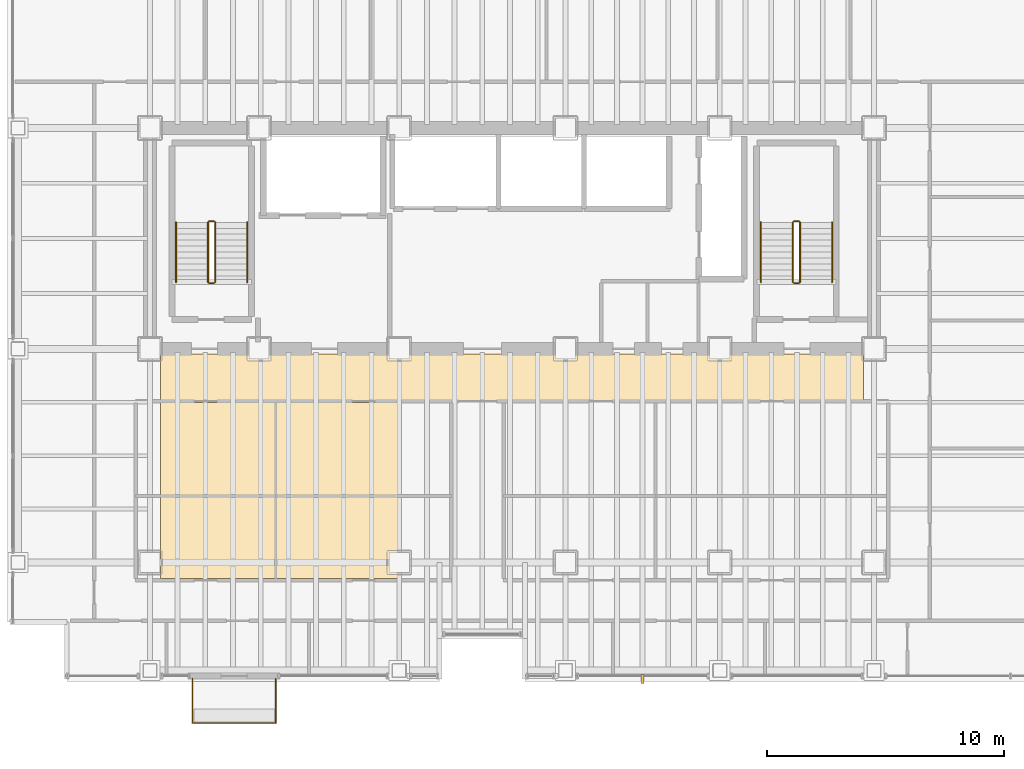
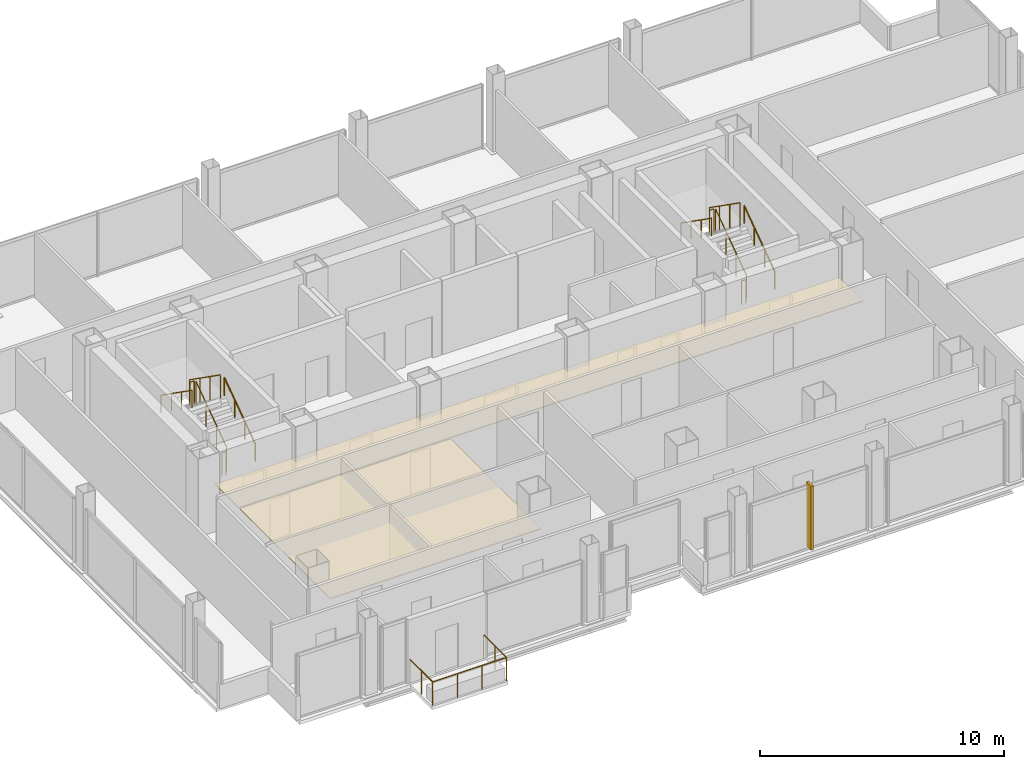
# One storey, part 20 of 20: 13 railings, 2 coverings, 1 shading device.
"""IFC4 building model written with IfcOpenShell, lengths in metres."""

import ifcopenshell
import ifcopenshell.guid

model = None  # the IFC model being written
_history = None  # IfcOwnerHistory: only IFC2X3 demands one
_inside = {}  # id of a spatial element -> (the spatial element, [elements in it])
_under = {}  # id of a project, library or spatial element -> (it, [spatial elements below it])
_declared = {}  # id of a project -> (the project, [libraries it declares])
_typed = {}  # id of a type object -> (the type object, [elements of that type])
_made_of = {}  # id of a material, layer set ... -> (it, [elements and type objects made of it])


def new_model(schema):
    """Start an empty IFC model of exactly this schema.

    Asked for "IFC4X3", IfcOpenShell would pick the latest addendum, in which some entities
    have other attributes; the version numbers below select the first issue.
    IFC2X3 requires an IfcOwnerHistory on every rooted entity: one is made here for all.
    """
    global model, _history
    if schema == "IFC4X3":
        model = ifcopenshell.file(schema_version=(4, 3, 0, 0))
    else:
        model = ifcopenshell.file(schema=schema)
    _inside.clear()
    _under.clear()
    _declared.clear()
    _typed.clear()
    _made_of.clear()
    _history = None
    if model.schema == "IFC2X3":
        org = make("IfcOrganization", Name="unknown")
        user = make(
            "IfcPersonAndOrganization",
            ThePerson=make("IfcPerson", FamilyName="unknown"),
            TheOrganization=org,
        )
        app = make(
            "IfcApplication",
            ApplicationDeveloper=org,
            Version="unknown",
            ApplicationFullName="unknown",
            ApplicationIdentifier="unknown",
        )
        _history = make(
            "IfcOwnerHistory",
            OwningUser=user,
            OwningApplication=app,
            ChangeAction="ADDED",
            CreationDate=0,
        )
    return model


def make(cls, **values):
    """One entity of the class cls with the attributes given. An attribute that is None is left unset."""
    return model.create_entity(
        cls, **{name: value for name, value in values.items() if value is not None}
    )


def rooted(cls, **values):
    """An entity with a GlobalId (a new one), such as an element, a storey or a relation."""
    return make(cls, GlobalId=ifcopenshell.guid.new(), OwnerHistory=_history, **values)


def si_unit(unit_type, name, prefix=None):
    """IfcSIUnit, for example si_unit("LENGTHUNIT", "METRE", prefix="MILLI")."""
    return make("IfcSIUnit", UnitType=unit_type, Prefix=prefix, Name=name)


def assignment(units):
    """IfcUnitAssignment: the units of a project."""
    return None if units is None else make("IfcUnitAssignment", Units=units)


def point(xyz):
    """IfcCartesianPoint."""
    return None if xyz is None else make("IfcCartesianPoint", Coordinates=xyz)


def direction(xyz):
    """IfcDirection."""
    return None if xyz is None else make("IfcDirection", DirectionRatios=xyz)


def frame(location, z_axis=None, x_axis=None):
    """IfcAxis2Placement3D, a coordinate frame: its origin and axes. An axis left out is left unset."""
    return make(
        "IfcAxis2Placement3D",
        Location=point(location),
        Axis=direction(z_axis),
        RefDirection=direction(x_axis),
    )


def frame_2d(location, x_axis=None):
    """IfcAxis2Placement2D, a coordinate frame in the plane: its origin and x axis."""
    return make(
        "IfcAxis2Placement2D", Location=point(location), RefDirection=direction(x_axis)
    )


def origin():
    """The frame at (0, 0, 0) with its axes left unset."""
    return frame((0.0, 0.0, 0.0))


def origin_2d():
    """The frame at (0, 0) in the plane with its x axis left unset."""
    return frame_2d((0.0, 0.0))


def place(relative_to, where):
    """IfcLocalPlacement: puts the frame where relative to a parent placement (None: the world)."""
    return make(
        "IfcLocalPlacement", PlacementRelTo=relative_to, RelativePlacement=where
    )


def context(
    kind, dimensions, precision=None, world=None, true_north=None, identifier=None
):
    """IfcGeometricRepresentationContext, for example the 3D "Model" context."""
    return make(
        "IfcGeometricRepresentationContext",
        ContextIdentifier=identifier,
        ContextType=kind,
        CoordinateSpaceDimension=dimensions,
        Precision=precision,
        WorldCoordinateSystem=world,
        TrueNorth=true_north,
    )


def subcontext(parent, identifier, kind, view, scale=None):
    """IfcGeometricRepresentationSubContext, for example "Body" below "Model"."""
    return make(
        "IfcGeometricRepresentationSubContext",
        ContextIdentifier=identifier,
        ContextType=kind,
        ParentContext=parent,
        TargetScale=scale,
        TargetView=view,
    )


def project(units=None, contexts=None):
    """IfcProject with its units and contexts."""
    return rooted(
        "IfcProject",
        Name="project",
        RepresentationContexts=contexts,
        UnitsInContext=assignment(units),
    )


def spatial(cls, under=None, at=None, **own):
    """A site, building, storey or space (cls), placed at a placement, below another one or the project."""
    s = rooted(cls, ObjectPlacement=at, **own)
    if under is not None:
        _under.setdefault(under.id(), (under, []))[1].append(s)
    return s


def polyline(points):
    """IfcPolyline through the points."""
    return make("IfcPolyline", Points=[point(p) for p in points])


def profile(cls, at=None, kind="AREA", **sizes):
    """A parametric profile (cls). Its sizes go by their IFC names, for example OverallWidth=200.0."""
    return make(cls, ProfileType=kind, Position=at, **sizes)


def rectangle(**sizes):
    """IfcRectangleProfileDef."""
    return profile("IfcRectangleProfileDef", **sizes)


def circle(**sizes):
    """IfcCircleProfileDef."""
    return profile("IfcCircleProfileDef", **sizes)


def outline(outer, holes=None, kind="AREA"):
    """IfcArbitraryClosedProfileDef: a profile drawn as a closed curve; with holes, ...WithVoids."""
    if holes is None:
        return make("IfcArbitraryClosedProfileDef", ProfileType=kind, OuterCurve=outer)
    return make(
        "IfcArbitraryProfileDefWithVoids",
        ProfileType=kind,
        OuterCurve=outer,
        InnerCurves=holes,
    )


def extrude(swept, where, along, depth):
    """IfcExtrudedAreaSolid: the profile swept, set in the frame where, extruded along a direction by depth."""
    return make(
        "IfcExtrudedAreaSolid",
        SweptArea=swept,
        Position=where,
        ExtrudedDirection=direction(along),
        Depth=depth,
    )


def shape(context_of_items, identifier, shape_type, items):
    """IfcShapeRepresentation: the items that make up one representation, for example the "Body"."""
    return make(
        "IfcShapeRepresentation",
        ContextOfItems=context_of_items,
        RepresentationIdentifier=identifier,
        RepresentationType=shape_type,
        Items=items,
    )


def material(Name=None, Category=None):
    """IfcMaterial."""
    return make("IfcMaterial", Name=Name, Category=Category)


def layer(
    of_material, thickness, ventilated=None, Name=None, Category=None, Priority=None
):
    """IfcMaterialLayer: one layer of a wall or slab, of a material (None: an air gap)."""
    return make(
        "IfcMaterialLayer",
        Material=of_material,
        LayerThickness=thickness,
        IsVentilated=ventilated,
        Name=Name,
        Category=Category,
        Priority=Priority,
    )


def layer_set(layers, Name=None):
    """IfcMaterialLayerSet."""
    return make("IfcMaterialLayerSet", MaterialLayers=layers, LayerSetName=Name)


def made_of(thing, what):
    """Note that an element or type object is made of a material, layer set ...; save() writes the relation."""
    if what is not None:
        _made_of.setdefault(what.id(), (what, []))[1].append(thing)
    return thing


def type_object(cls, material=None, **own):
    """A type object (cls), such as IfcWallType, which elements share."""
    return made_of(rooted(cls, **own), material)


def element(
    cls,
    number,
    at=None,
    inside=None,
    cuts=None,
    type_object=None,
    material=None,
    context=None,
    identifier="Body",
    shape_type=None,
    held_by="IfcProductDefinitionShape",
    body=None,
    shapes=None,
    **own,
):
    """One element of the class cls, such as IfcWall. Its Tag is "e" and its number.

    at: its placement. inside: the storey or other place that contains it. cuts: it is an
    opening in that element (IfcRelVoidsElement). A single representation is given by context,
    identifier, shape_type and body (its items); several are given by shapes. held_by: the class
    of the entity that holds the representations. save() writes the other relations.
    """
    e = rooted(cls, Tag="e%d" % number, ObjectPlacement=at, **own)
    if body is not None:
        shapes = [shape(context, identifier, shape_type, body)]
    if shapes is not None:
        e.Representation = make(held_by, Representations=shapes)
    if inside is not None:
        _inside.setdefault(inside.id(), (inside, []))[1].append(e)
    if cuts is not None:
        rooted(
            "IfcRelVoidsElement", RelatingBuildingElement=cuts, RelatedOpeningElement=e
        )
    if type_object is not None:
        _typed.setdefault(type_object.id(), (type_object, []))[1].append(e)
    return made_of(e, material)


def aggregate(whole, parts):
    """IfcRelAggregates: a whole, such as a stair, and the parts it consists of."""
    return rooted("IfcRelAggregates", RelatingObject=whole, RelatedObjects=parts)


def save(model, path):
    """Write the relations noted so far, then the file.

    IfcRelAggregates (storeys below a building ...), IfcRelContainedInSpatialStructure (elements
    in a storey), IfcRelDefinesByType, IfcRelAssociatesMaterial and IfcRelDeclares: one each for
    every whole, place, type object, material and project.
    """
    for whole, parts in _under.values():
        aggregate(whole, parts)
    for where, things in _inside.values():
        rooted(
            "IfcRelContainedInSpatialStructure",
            RelatedElements=things,
            RelatingStructure=where,
        )
    for kind, things in _typed.values():
        rooted("IfcRelDefinesByType", RelatedObjects=things, RelatingType=kind)
    for what, things in _made_of.values():
        rooted("IfcRelAssociatesMaterial", RelatedObjects=things, RelatingMaterial=what)
    for by, libraries in _declared.values():
        rooted("IfcRelDeclares", RelatingContext=by, RelatedDefinitions=libraries)
    model.write(path)


model = new_model("IFC4")

# Units and contexts
model_context = context("Model", 3, precision=1e-05, world=origin(), true_north=direction((0.0, 1.0)))
body_context = subcontext(model_context, "Body", "Model", "MODEL_VIEW")
ifc_project = project(units=[si_unit("LENGTHUNIT", "METRE"), si_unit("AREAUNIT", "SQUARE_METRE"), si_unit("VOLUMEUNIT", "CUBIC_METRE"), si_unit("PLANEANGLEUNIT", "RADIAN"), si_unit("MASSUNIT", "GRAM", prefix="KILO")], contexts=[model_context])

# Site, building, storey
site_placement = place(None, origin())
site = spatial("IfcSite", under=ifc_project, at=site_placement, CompositionType="ELEMENT")
building_placement = place(site_placement, origin())
building = spatial("IfcBuilding", under=site, at=building_placement, Name="Noeulbin Bourse Tower", CompositionType="ELEMENT")
storey_placement = place(building_placement, frame((0.0, 0.0, 69.39990234375)))
storey = spatial("IfcBuildingStorey", under=building, at=storey_placement, Name="L17", CompositionType="ELEMENT", Elevation=69.39990234375)

# Coverings
ifc_material_1 = material(Name="Perforated Mineral-Fibre Acoustic Tile")
ifc_layer_1 = layer(ifc_material_1, 0.0400390625)
ifc_layer_set_1 = layer_set([ifc_layer_1], Name="Perforated Mineral-Fibre Acoustic Tile")
covering_type = type_object("IfcCoveringType", Name="COV-CEIL-ACT", PredefinedType="CEILING", material=ifc_layer_set_1)
covering_1_placement = place(storey_placement, frame((0.0, 0.0, 2.110107421875)))
element("IfcCovering", 1, at=covering_1_placement, inside=storey, type_object=covering_type, Name="Corridor Suspended Ceiling L17", PredefinedType="CEILING", context=body_context, shape_type="SweptSolid", body=[
    extrude(outline(polyline([(13.949951171875, 26.820068359375), (43.550048828125, 26.820068359375), (43.550048828125, 28.780029296875), (13.949951171875, 28.780029296875), (13.949951171875, 26.820068359375)])), origin(), (0.0, 0.0, 1.0), 0.0400390625),
])
covering_2_placement = place(storey_placement, frame((0.0, 0.0, 2.110107421875)))
element("IfcCovering", 2, at=covering_2_placement, inside=storey, type_object=covering_type, Name="Trading Suite Acoustic Ceiling L17", PredefinedType="CEILING", context=body_context, shape_type="SweptSolid", body=[
    extrude(outline(polyline([(13.949951171875, 19.320068359375), (23.949951171875, 19.320068359375), (23.949951171875, 26.75), (13.949951171875, 26.75), (13.949951171875, 19.320068359375)])), origin(), (0.0, 0.0, 1.0), 0.0400390625),
])

# Railings
ifc_material_2 = material(Name="Laminated SentryGlas and Stainless Steel 316", Category="steel")
ifc_layer_2 = layer(ifc_material_2, 0.06005859375)
ifc_layer_set_2 = layer_set([ifc_layer_2], Name="Laminated SentryGlas and Stainless Steel 316")
railing_type_1 = type_object("IfcRailingType", Name="RLG-BAL-1200", PredefinedType="BALUSTRADE", material=ifc_layer_set_2)
railing_1_placement = place(storey_placement, frame((15.300048828125, 15.1201171875, 0.0)))
element("IfcRailing", 3, at=railing_1_placement, inside=storey, type_object=railing_type_1, Name="Tree-Balcony Glazed Balustrade L17", PredefinedType="BALUSTRADE", context=body_context, shape_type="SweptSolid", body=[
    extrude(circle(Radius=0.02392578125, at=origin_2d()), frame((0.0, 0.0, 1.17578125), z_axis=(0.0, -1.0, 0.0), x_axis=(1.0, 0.0, 0.0)), (0.0, 0.0, 1.0), 1.8701171875),
    extrude(circle(Radius=0.02392578125, at=origin_2d()), frame((0.0, -1.8701171875, 1.17578125), z_axis=(1.0, 0.0, 0.0), x_axis=(0.0, 1.0, 0.0)), (0.0, 0.0, 1.0), 3.5),
    extrude(circle(Radius=0.02392578125, at=origin_2d()), frame((3.5, -1.8701171875, 1.17578125), z_axis=(0.0, 1.0, 0.0), x_axis=(-1.0, 0.0, 0.0)), (0.0, 0.0, 1.0), 1.8701171875),
    extrude(circle(Radius=0.02099609375, at=origin_2d()), origin(), (0.0, 0.0, 1.0), 1.15185546875),
    extrude(circle(Radius=0.02099609375, at=origin_2d()), frame((0.0, -0.93505859375, 0.0)), (0.0, 0.0, 1.0), 1.15185546875),
    extrude(circle(Radius=0.02099609375, at=origin_2d()), frame((0.0, -1.8701171875, 0.0)), (0.0, 0.0, 1.0), 1.15185546875),
    extrude(circle(Radius=0.02099609375, at=origin_2d()), frame((1.166748046875, -1.8701171875, 0.0)), (0.0, 0.0, 1.0), 1.15185546875),
    extrude(circle(Radius=0.02099609375, at=origin_2d()), frame((2.333251953125, -1.8701171875, 0.0)), (0.0, 0.0, 1.0), 1.15185546875),
    extrude(circle(Radius=0.02099609375, at=origin_2d()), frame((3.5, -1.8701171875, 0.0)), (0.0, 0.0, 1.0), 1.15185546875),
    extrude(circle(Radius=0.02099609375, at=origin_2d()), frame((3.5, -0.93505859375, 0.0)), (0.0, 0.0, 1.0), 1.15185546875),
    extrude(circle(Radius=0.02099609375, at=origin_2d()), frame((3.5, 0.0, 0.0)), (0.0, 0.0, 1.0), 1.15185546875),
])
ifc_material_3 = material(Name="Painted Tubular Steel S355", Category="steel")
ifc_layer_3 = layer(ifc_material_3, 0.048095703125)
ifc_layer_set_3 = layer_set([ifc_layer_3], Name="Painted Tubular Steel S355")
railing_type_2 = type_object("IfcRailingType", Name="RLG-STR-GRD", PredefinedType="GUARDRAIL", material=ifc_layer_set_3)
railing_2_placement = place(storey_placement, frame((16.25, 31.81005859375, 0.177490234375)))
element("IfcRailing", 4, at=railing_2_placement, inside=storey, type_object=railing_type_2, Name="L17 ST-1 stair guard 1", PredefinedType="GUARDRAIL", context=body_context, shape_type="SweptSolid", body=[
    extrude(circle(Radius=0.02392578125, at=origin_2d()), frame((0.0, 0.0, 1.17578125), z_axis=(0.0, 0.817904474719, 0.575354039036), x_axis=(-1.0, 0.0, 0.0)), (0.0, 0.0, 1.0), 3.0810546875),
    extrude(circle(Radius=0.02099609375, at=origin_2d()), origin(), (0.0, 0.0, 1.0), 1.15185546875),
    extrude(circle(Radius=0.02099609375, at=origin_2d()), frame((0.0, 0.840087890625, 0.5908203125)), (0.0, 0.0, 1.0), 1.15185546875),
    extrude(circle(Radius=0.02099609375, at=origin_2d()), frame((0.0, 1.679931640625, 1.181884765625)), (0.0, 0.0, 1.0), 1.15185546875),
    extrude(circle(Radius=0.02099609375, at=origin_2d()), frame((0.0, 2.52001953125, 1.772705078125)), (0.0, 0.0, 1.0), 1.15185546875),
])
railing_3_placement = place(storey_placement, frame((16.199951171875, 34.3798828125, 1.9501953125)))
element("IfcRailing", 5, at=railing_3_placement, inside=storey, type_object=railing_type_2, Name="L17 ST-1 stair guard 2", PredefinedType="GUARDRAIL", context=body_context, shape_type="SweptSolid", body=[
    extrude(circle(Radius=0.02392578125, at=origin_2d()), frame((0.0, 0.0, 1.17578125), z_axis=(-1.0, 0.0, 0.0), x_axis=(0.0, -1.0, 0.0)), (0.0, 0.0, 1.0), 0.199951171875),
    extrude(circle(Radius=0.02099609375, at=origin_2d()), origin(), (0.0, 0.0, 1.0), 1.15185546875),
    extrude(circle(Radius=0.02099609375, at=origin_2d()), frame((-0.199951171875, 0.0, 0.0)), (0.0, 0.0, 1.0), 1.15185546875),
])
railing_4_placement = place(storey_placement, frame((15.949951171875, 34.330078125, 2.12744140625)))
element("IfcRailing", 6, at=railing_4_placement, inside=storey, type_object=railing_type_2, Name="L17 ST-1 stair guard 3", PredefinedType="GUARDRAIL", context=body_context, shape_type="SweptSolid", body=[
    extrude(circle(Radius=0.02392578125, at=origin_2d()), frame((0.0, 0.0, 1.17578125), z_axis=(0.0, -0.817904474719, 0.575354039036), x_axis=(1.0, 0.0, 0.0)), (0.0, 0.0, 1.0), 3.0810546875),
    extrude(circle(Radius=0.02099609375, at=origin_2d()), origin(), (0.0, 0.0, 1.0), 1.15185546875),
    extrude(circle(Radius=0.02099609375, at=origin_2d()), frame((0.0, -0.840087890625, 0.5908203125)), (0.0, 0.0, 1.0), 1.15185546875),
    extrude(circle(Radius=0.02099609375, at=origin_2d()), frame((0.0, -1.679931640625, 1.181884765625)), (0.0, 0.0, 1.0), 1.15185546875),
    extrude(circle(Radius=0.02099609375, at=origin_2d()), frame((0.0, -2.52001953125, 1.772705078125)), (0.0, 0.0, 1.0), 1.15185546875),
])
railing_5_placement = place(storey_placement, frame((16.199951171875, 31.760009765625, 0.0)))
element("IfcRailing", 7, at=railing_5_placement, inside=storey, type_object=railing_type_2, Name="L17 ST-1 stair guard 4", PredefinedType="GUARDRAIL", context=body_context, shape_type="SweptSolid", body=[
    extrude(circle(Radius=0.02392578125, at=origin_2d()), frame((0.0, 0.0, 1.17578125), z_axis=(-1.0, 0.0, 0.0), x_axis=(0.0, -1.0, 0.0)), (0.0, 0.0, 1.0), 0.199951171875),
    extrude(circle(Radius=0.02099609375, at=origin_2d()), origin(), (0.0, 0.0, 1.0), 1.15185546875),
    extrude(circle(Radius=0.02099609375, at=origin_2d()), frame((-0.199951171875, 0.0, 0.0)), (0.0, 0.0, 1.0), 1.15185546875),
])
railing_6_placement = place(storey_placement, frame((40.8798828125, 31.81005859375, 0.177490234375)))
element("IfcRailing", 8, at=railing_6_placement, inside=storey, type_object=railing_type_2, Name="L17 ST-2 stair guard 1", PredefinedType="GUARDRAIL", context=body_context, shape_type="SweptSolid", body=[
    extrude(circle(Radius=0.02392578125, at=origin_2d()), frame((0.0, 0.0, 1.17578125), z_axis=(0.0, 0.817904474719, 0.575354039036), x_axis=(-1.0, 0.0, 0.0)), (0.0, 0.0, 1.0), 3.0810546875),
    extrude(circle(Radius=0.02099609375, at=origin_2d()), origin(), (0.0, 0.0, 1.0), 1.15185546875),
    extrude(circle(Radius=0.02099609375, at=origin_2d()), frame((0.0, 0.840087890625, 0.5908203125)), (0.0, 0.0, 1.0), 1.15185546875),
    extrude(circle(Radius=0.02099609375, at=origin_2d()), frame((0.0, 1.679931640625, 1.181884765625)), (0.0, 0.0, 1.0), 1.15185546875),
    extrude(circle(Radius=0.02099609375, at=origin_2d()), frame((0.0, 2.52001953125, 1.772705078125)), (0.0, 0.0, 1.0), 1.15185546875),
])
railing_7_placement = place(storey_placement, frame((40.830078125, 34.3798828125, 1.9501953125)))
element("IfcRailing", 9, at=railing_7_placement, inside=storey, type_object=railing_type_2, Name="L17 ST-2 stair guard 2", PredefinedType="GUARDRAIL", context=body_context, shape_type="SweptSolid", body=[
    extrude(circle(Radius=0.02392578125, at=origin_2d()), frame((0.0, 0.0, 1.17578125), z_axis=(-1.0, 0.0, 0.0), x_axis=(0.0, -1.0, 0.0)), (0.0, 0.0, 1.0), 0.2001953125),
    extrude(circle(Radius=0.02099609375, at=origin_2d()), origin(), (0.0, 0.0, 1.0), 1.15185546875),
    extrude(circle(Radius=0.02099609375, at=origin_2d()), frame((-0.2001953125, 0.0, 0.0)), (0.0, 0.0, 1.0), 1.15185546875),
])
railing_8_placement = place(storey_placement, frame((40.580078125, 34.330078125, 2.12744140625)))
element("IfcRailing", 10, at=railing_8_placement, inside=storey, type_object=railing_type_2, Name="L17 ST-2 stair guard 3", PredefinedType="GUARDRAIL", context=body_context, shape_type="SweptSolid", body=[
    extrude(circle(Radius=0.02392578125, at=origin_2d()), frame((0.0, 0.0, 1.17578125), z_axis=(0.0, -0.817904474719, 0.575354039036), x_axis=(1.0, 0.0, 0.0)), (0.0, 0.0, 1.0), 3.0810546875),
    extrude(circle(Radius=0.02099609375, at=origin_2d()), origin(), (0.0, 0.0, 1.0), 1.15185546875),
    extrude(circle(Radius=0.02099609375, at=origin_2d()), frame((0.0, -0.840087890625, 0.5908203125)), (0.0, 0.0, 1.0), 1.15185546875),
    extrude(circle(Radius=0.02099609375, at=origin_2d()), frame((0.0, -1.679931640625, 1.181884765625)), (0.0, 0.0, 1.0), 1.15185546875),
    extrude(circle(Radius=0.02099609375, at=origin_2d()), frame((0.0, -2.52001953125, 1.772705078125)), (0.0, 0.0, 1.0), 1.15185546875),
])
railing_9_placement = place(storey_placement, frame((40.830078125, 31.760009765625, 0.0)))
element("IfcRailing", 11, at=railing_9_placement, inside=storey, type_object=railing_type_2, Name="L17 ST-2 stair guard 4", PredefinedType="GUARDRAIL", context=body_context, shape_type="SweptSolid", body=[
    extrude(circle(Radius=0.02392578125, at=origin_2d()), frame((0.0, 0.0, 1.17578125), z_axis=(-1.0, 0.0, 0.0), x_axis=(0.0, -1.0, 0.0)), (0.0, 0.0, 1.0), 0.2001953125),
    extrude(circle(Radius=0.02099609375, at=origin_2d()), origin(), (0.0, 0.0, 1.0), 1.15185546875),
    extrude(circle(Radius=0.02099609375, at=origin_2d()), frame((-0.2001953125, 0.0, 0.0)), (0.0, 0.0, 1.0), 1.15185546875),
])
ifc_material_4 = material(Name="Brushed Stainless Steel 316", Category="steel")
ifc_layer_4 = layer(ifc_material_4, 0.048095703125)
ifc_layer_set_4 = layer_set([ifc_layer_4], Name="Brushed Stainless Steel 316")
railing_type_3 = type_object("IfcRailingType", Name="RLG-STR-HND", PredefinedType="HANDRAIL", material=ifc_layer_set_4)
railing_10_placement = place(storey_placement, frame((17.60009765625, 31.81005859375, 0.177490234375)))
element("IfcRailing", 12, at=railing_10_placement, inside=storey, type_object=railing_type_3, Name="L17 ST-1 stair handrail 1", PredefinedType="HANDRAIL", context=body_context, shape_type="SweptSolid", body=[
    extrude(circle(Radius=0.02392578125, at=origin_2d()), frame((0.0, 0.0, 0.8759765625), z_axis=(0.0, 0.817904474719, 0.575354039036), x_axis=(-1.0, 0.0, 0.0)), (0.0, 0.0, 1.0), 3.0810546875),
    extrude(circle(Radius=0.02099609375, at=origin_2d()), origin(), (0.0, 0.0, 1.0), 0.851806640625),
    extrude(circle(Radius=0.02099609375, at=origin_2d()), frame((0.0, 0.840087890625, 0.5908203125)), (0.0, 0.0, 1.0), 0.851806640625),
    extrude(circle(Radius=0.02099609375, at=origin_2d()), frame((0.0, 1.679931640625, 1.181884765625)), (0.0, 0.0, 1.0), 0.851806640625),
    extrude(circle(Radius=0.02099609375, at=origin_2d()), frame((0.0, 2.52001953125, 1.772705078125)), (0.0, 0.0, 1.0), 0.851806640625),
])
railing_11_placement = place(storey_placement, frame((14.60009765625, 34.330078125, 2.12744140625)))
element("IfcRailing", 13, at=railing_11_placement, inside=storey, type_object=railing_type_3, Name="L17 ST-1 stair handrail 2", PredefinedType="HANDRAIL", context=body_context, shape_type="SweptSolid", body=[
    extrude(circle(Radius=0.02392578125, at=origin_2d()), frame((0.0, 0.0, 0.8759765625), z_axis=(0.0, -0.817904474719, 0.575354039036), x_axis=(1.0, 0.0, 0.0)), (0.0, 0.0, 1.0), 3.0810546875),
    extrude(circle(Radius=0.02099609375, at=origin_2d()), origin(), (0.0, 0.0, 1.0), 0.851806640625),
    extrude(circle(Radius=0.02099609375, at=origin_2d()), frame((0.0, -0.840087890625, 0.5908203125)), (0.0, 0.0, 1.0), 0.851806640625),
    extrude(circle(Radius=0.02099609375, at=origin_2d()), frame((0.0, -1.679931640625, 1.181884765625)), (0.0, 0.0, 1.0), 0.851806640625),
    extrude(circle(Radius=0.02099609375, at=origin_2d()), frame((0.0, -2.52001953125, 1.772705078125)), (0.0, 0.0, 1.0), 0.851806640625),
])
railing_12_placement = place(storey_placement, frame((42.22998046875, 31.81005859375, 0.177490234375)))
element("IfcRailing", 14, at=railing_12_placement, inside=storey, type_object=railing_type_3, Name="L17 ST-2 stair handrail 1", PredefinedType="HANDRAIL", context=body_context, shape_type="SweptSolid", body=[
    extrude(circle(Radius=0.02392578125, at=origin_2d()), frame((0.0, 0.0, 0.8759765625), z_axis=(0.0, 0.817904474719, 0.575354039036), x_axis=(-1.0, 0.0, 0.0)), (0.0, 0.0, 1.0), 3.0810546875),
    extrude(circle(Radius=0.02099609375, at=origin_2d()), origin(), (0.0, 0.0, 1.0), 0.851806640625),
    extrude(circle(Radius=0.02099609375, at=origin_2d()), frame((0.0, 0.840087890625, 0.5908203125)), (0.0, 0.0, 1.0), 0.851806640625),
    extrude(circle(Radius=0.02099609375, at=origin_2d()), frame((0.0, 1.679931640625, 1.181884765625)), (0.0, 0.0, 1.0), 0.851806640625),
    extrude(circle(Radius=0.02099609375, at=origin_2d()), frame((0.0, 2.52001953125, 1.772705078125)), (0.0, 0.0, 1.0), 0.851806640625),
])
railing_13_placement = place(storey_placement, frame((39.22998046875, 34.330078125, 2.12744140625)))
element("IfcRailing", 15, at=railing_13_placement, inside=storey, type_object=railing_type_3, Name="L17 ST-2 stair handrail 2", PredefinedType="HANDRAIL", context=body_context, shape_type="SweptSolid", body=[
    extrude(circle(Radius=0.02392578125, at=origin_2d()), frame((0.0, 0.0, 0.8759765625), z_axis=(0.0, -0.817904474719, 0.575354039036), x_axis=(1.0, 0.0, 0.0)), (0.0, 0.0, 1.0), 3.0810546875),
    extrude(circle(Radius=0.02099609375, at=origin_2d()), origin(), (0.0, 0.0, 1.0), 0.851806640625),
    extrude(circle(Radius=0.02099609375, at=origin_2d()), frame((0.0, -0.840087890625, 0.5908203125)), (0.0, 0.0, 1.0), 0.851806640625),
    extrude(circle(Radius=0.02099609375, at=origin_2d()), frame((0.0, -1.679931640625, 1.181884765625)), (0.0, 0.0, 1.0), 0.851806640625),
    extrude(circle(Radius=0.02099609375, at=origin_2d()), frame((0.0, -2.52001953125, 1.772705078125)), (0.0, 0.0, 1.0), 0.851806640625),
])

# Shading device
ifc_material_5 = material(Name="Anodised Aluminium 6063-T6", Category="aluminium")
ifc_layer_5 = layer(ifc_material_5, 3.199951171875)
ifc_layer_set_5 = layer_set([ifc_layer_5], Name="Anodised Aluminium 6063-T6")
shading_device_type = type_object("IfcShadingDeviceType", Name="SHD-FIN-400", PredefinedType="USERDEFINED", material=ifc_layer_set_5)
shading_device_placement = place(storey_placement, frame((34.25, 15.10009765625, 0.14990234375), z_axis=(0.0, 0.0, 1.0), x_axis=(1.0, 0.0, 0.0)))
element("IfcShadingDevice", 16, at=shading_device_placement, inside=storey, type_object=shading_device_type, Name="Vertical Solar Fin SN-L17-2", ObjectType="SUNSHADE", PredefinedType="USERDEFINED", context=body_context, shape_type="SweptSolid", body=[
    extrude(rectangle(XDim=0.1201171875, YDim=0.3798828125, at=origin_2d()), origin(), (0.0, 0.0, 1.0), 3.199951171875),
])

save(model, "model.ifc")
